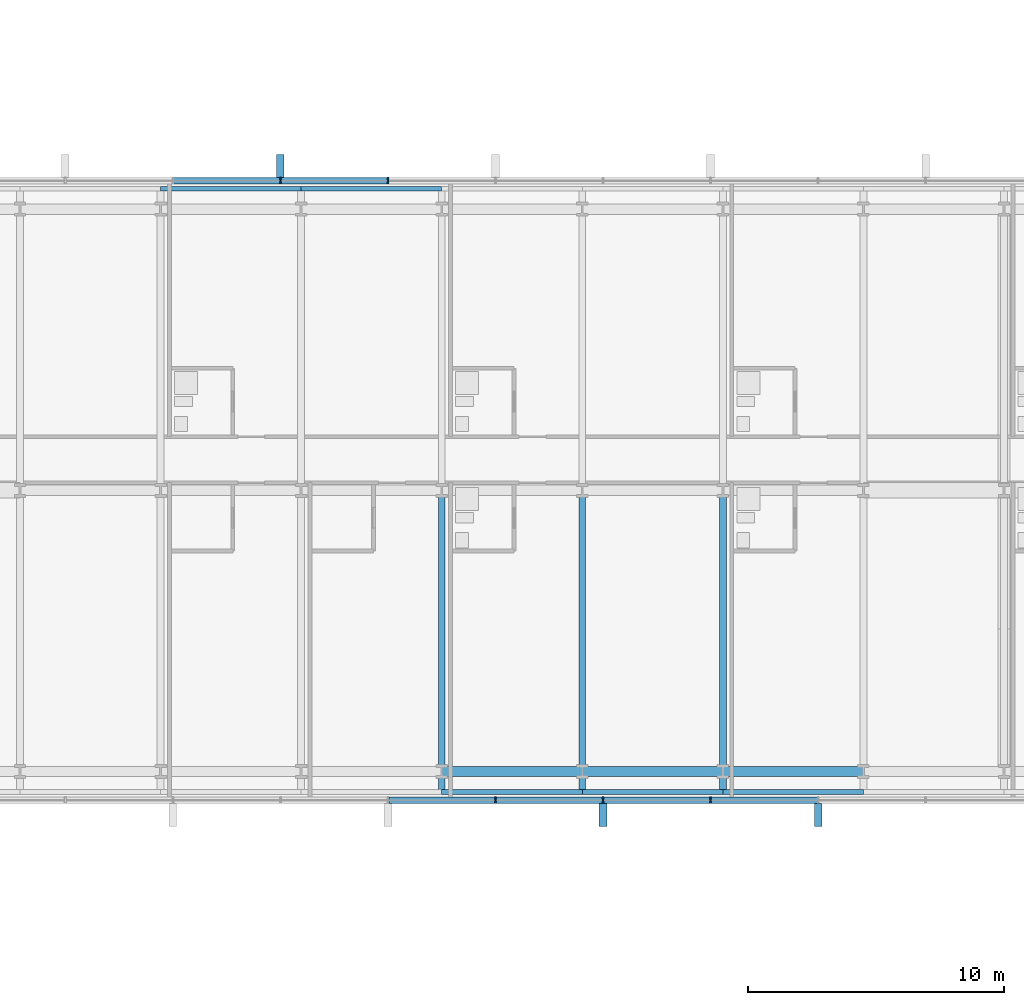
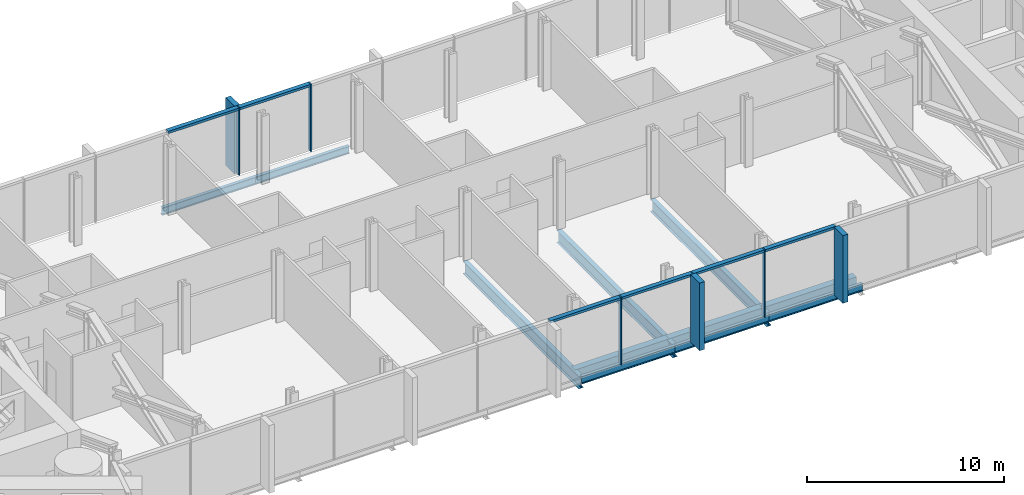
# One storey, part 7 of 23: 14 members, 11 beams, 2 elements without a shape of their own.
"""IFC4 building model written with IfcOpenShell, lengths in metres."""

from ifc_helpers import new_model, si_unit, direction, frame, origin, origin_2d, place, context, subcontext, project, spatial, rectangle, hollow_rectangle, i_section, extrude, material, material_profile, profile_set, type_object, element, aggregate, save


model = new_model("IFC4")

# Units and contexts
model_context = context("Model", 3, precision=1e-05, world=origin(), true_north=direction((0.0, 1.0)))
body_context = subcontext(model_context, "Body", "Model", "MODEL_VIEW")
ifc_project = project(units=[si_unit("LENGTHUNIT", "METRE"), si_unit("AREAUNIT", "SQUARE_METRE"), si_unit("VOLUMEUNIT", "CUBIC_METRE"), si_unit("PLANEANGLEUNIT", "RADIAN"), si_unit("MASSUNIT", "GRAM", prefix="KILO")], contexts=[model_context])

# Site, building, storey
site_placement = place(None, origin())
site = spatial("IfcSite", under=ifc_project, at=site_placement, CompositionType="ELEMENT")
building_placement = place(site_placement, origin())
building = spatial("IfcBuilding", under=site, at=building_placement, Name="Lancet Gate Hotel", CompositionType="ELEMENT")
storey_placement = place(building_placement, frame((0.0, 0.0, 247.699951171875)))
storey = spatial("IfcBuildingStorey", under=building, at=storey_placement, Name="L66", CompositionType="ELEMENT", Elevation=247.699951171875)

# Curtain wall, members
ifc_material_1 = material(Name="Aluminium curtain wall", Category="aluminium")
curtain_wall_type = type_object("IfcCurtainWallType", Name="Sky deck full-height glazing", PredefinedType="USERDEFINED", material=ifc_material_1)
curtain_wall_1_placement = place(storey_placement, origin())
curtain_wall_1 = element("IfcCurtainWall", 1, at=curtain_wall_1_placement, inside=storey, type_object=curtain_wall_type, Name="Bridge block L66 curtain wall S", ObjectType="UNITISED CURTAIN WALL", PredefinedType="USERDEFINED")
ifc_material_2 = material(Name="Aluminium mullion", Category="aluminium")
ifc_material_profile_1 = material_profile(ifc_material_2, rectangle(XDim=0.06494140625, YDim=0.25, at=origin_2d()), Name="MULLION 65x250")
ifc_profile_set_1 = profile_set([ifc_material_profile_1], Name="Aluminium mullion")
member_type_1 = type_object("IfcMemberType", Name="Aluminium mullion 65x250", PredefinedType="MULLION", material=ifc_profile_set_1)
member_1_placement = place(storey_placement, frame((2.103759765625, -12.1201171875, 0.0), z_axis=(0.0, 0.0, 1.0), x_axis=(1.0, 0.0, 0.0)))
member_1 = element("IfcMember", 2, at=member_1_placement, type_object=member_type_1, Name="Bridge block L66 curtain wall S mullion 8", PredefinedType="MULLION", context=body_context, shape_type="SweptSolid", body=[
    extrude(rectangle(XDim=0.06494140625, YDim=0.25, at=origin_2d()), origin(), (0.0, 0.0, 1.0), 4.199951171875),
])
member_2_placement = place(storey_placement, frame((6.3115234375, -12.1201171875, 0.0), z_axis=(0.0, 0.0, 1.0), x_axis=(1.0, 0.0, 0.0)))
member_2 = element("IfcMember", 3, at=member_2_placement, type_object=member_type_1, Name="Bridge block L66 curtain wall S mullion 9", PredefinedType="MULLION", context=body_context, shape_type="SweptSolid", body=[
    extrude(rectangle(XDim=0.06494140625, YDim=0.25, at=origin_2d()), origin(), (0.0, 0.0, 1.0), 4.199951171875),
])
member_3_placement = place(storey_placement, frame((10.519287109375, -12.1201171875, 0.0), z_axis=(0.0, 0.0, 1.0), x_axis=(1.0, 0.0, 0.0)))
member_3 = element("IfcMember", 4, at=member_3_placement, type_object=member_type_1, Name="Bridge block L66 curtain wall S mullion 10", PredefinedType="MULLION", context=body_context, shape_type="SweptSolid", body=[
    extrude(rectangle(XDim=0.06494140625, YDim=0.25, at=origin_2d()), origin(), (0.0, 0.0, 1.0), 4.199951171875),
])

curtain_wall_2_placement = place(storey_placement, origin())
curtain_wall_2 = element("IfcCurtainWall", 5, at=curtain_wall_2_placement, inside=storey, type_object=curtain_wall_type, Name="Bridge block L66 curtain wall N", ObjectType="UNITISED CURTAIN WALL", PredefinedType="USERDEFINED")
member_4_placement = place(storey_placement, frame((-2.103759765625, 12.1201171875, 0.0), z_axis=(0.0, 0.0, 1.0), x_axis=(-1.0, 0.0, 0.0)))
member_4 = element("IfcMember", 6, at=member_4_placement, type_object=member_type_1, Name="Bridge block L66 curtain wall N mullion 8", PredefinedType="MULLION", context=body_context, shape_type="SweptSolid", body=[
    extrude(rectangle(XDim=0.06494140625, YDim=0.25, at=origin_2d()), origin(), (0.0, 0.0, 1.0), 4.199951171875),
])
member_5_placement = place(storey_placement, frame((-6.3115234375, 12.1201171875, 0.0), z_axis=(0.0, 0.0, 1.0), x_axis=(-1.0, 0.0, 0.0)))
member_5 = element("IfcMember", 7, at=member_5_placement, type_object=member_type_1, Name="Bridge block L66 curtain wall N mullion 9", PredefinedType="MULLION", context=body_context, shape_type="SweptSolid", body=[
    extrude(rectangle(XDim=0.06494140625, YDim=0.25, at=origin_2d()), origin(), (0.0, 0.0, 1.0), 4.199951171875),
])

# Member
ifc_material_3 = material(Name="Aluminium transom", Category="aluminium")
ifc_material_profile_2 = material_profile(ifc_material_3, rectangle(XDim=0.25, YDim=0.14990234375, at=origin_2d()), Name="TRANSOM 250x150")
ifc_profile_set_2 = profile_set([ifc_material_profile_2], Name="Aluminium transom")
member_type_2 = type_object("IfcMemberType", Name="Aluminium transom 250x150", PredefinedType="USERDEFINED", material=ifc_profile_set_2)
member_6_placement = place(storey_placement, frame((-2.0712890625, -12.1201171875, 4.125), z_axis=(1.0, 0.0, 0.0), x_axis=(0.0, 1.0, 0.0)))
member_6 = element("IfcMember", 8, at=member_6_placement, type_object=member_type_2, Name="Bridge block L66 curtain wall S transom 7", ObjectType="TRANSOM", PredefinedType="USERDEFINED", context=body_context, shape_type="SweptSolid", body=[
    extrude(rectangle(XDim=0.25, YDim=0.14990234375, at=origin_2d()), origin(), (0.0, 0.0, 1.0), 4.142578125),
])

member_7_placement = place(storey_placement, frame((2.13623046875, -12.1201171875, 4.125), z_axis=(1.0, 0.0, 0.0), x_axis=(0.0, 1.0, 0.0)))
member_7 = element("IfcMember", 9, at=member_7_placement, type_object=member_type_2, Name="Bridge block L66 curtain wall S transom 8", ObjectType="TRANSOM", PredefinedType="USERDEFINED", context=body_context, shape_type="SweptSolid", body=[
    extrude(rectangle(XDim=0.25, YDim=0.14990234375, at=origin_2d()), origin(), (0.0, 0.0, 1.0), 4.142822265625),
])

member_8_placement = place(storey_placement, frame((6.343994140625, -12.1201171875, 4.125), z_axis=(1.0, 0.0, 0.0), x_axis=(0.0, 1.0, 0.0)))
member_8 = element("IfcMember", 10, at=member_8_placement, type_object=member_type_2, Name="Bridge block L66 curtain wall S transom 9", ObjectType="TRANSOM", PredefinedType="USERDEFINED", context=body_context, shape_type="SweptSolid", body=[
    extrude(rectangle(XDim=0.25, YDim=0.14990234375, at=origin_2d()), origin(), (0.0, 0.0, 1.0), 4.142822265625),
])

member_9_placement = place(storey_placement, frame((10.5517578125, -12.1201171875, 4.125), z_axis=(1.0, 0.0, 0.0), x_axis=(0.0, 1.0, 0.0)))
member_9 = element("IfcMember", 11, at=member_9_placement, type_object=member_type_2, Name="Bridge block L66 curtain wall S transom 10", ObjectType="TRANSOM", PredefinedType="USERDEFINED", context=body_context, shape_type="SweptSolid", body=[
    extrude(rectangle(XDim=0.25, YDim=0.14990234375, at=origin_2d()), origin(), (0.0, 0.0, 1.0), 4.142578125),
])

member_10_placement = place(storey_placement, frame((-2.13623046875, 12.1201171875, 4.125), z_axis=(-1.0, 0.0, 0.0), x_axis=(0.0, -1.0, 0.0)))
member_10 = element("IfcMember", 12, at=member_10_placement, type_object=member_type_2, Name="Bridge block L66 curtain wall N transom 8", ObjectType="TRANSOM", PredefinedType="USERDEFINED", context=body_context, shape_type="SweptSolid", body=[
    extrude(rectangle(XDim=0.25, YDim=0.14990234375, at=origin_2d()), origin(), (0.0, 0.0, 1.0), 4.142822265625),
])

member_11_placement = place(storey_placement, frame((-6.343994140625, 12.1201171875, 4.125), z_axis=(-1.0, 0.0, 0.0), x_axis=(0.0, -1.0, 0.0)))
member_11 = element("IfcMember", 13, at=member_11_placement, type_object=member_type_2, Name="Bridge block L66 curtain wall N transom 9", ObjectType="TRANSOM", PredefinedType="USERDEFINED", context=body_context, shape_type="SweptSolid", body=[
    extrude(rectangle(XDim=0.25, YDim=0.14990234375, at=origin_2d()), origin(), (0.0, 0.0, 1.0), 4.142822265625),
])

# Beams
ifc_material_4 = material(Name="Steel S355", Category="steel")
ifc_material_profile_3 = material_profile(ifc_material_4, i_section(OverallWidth=0.19140625, OverallDepth=0.4599609375, WebThickness=0.010009765625, FlangeThickness=0.01611328125, FilletRadius=0.01025390625, at=origin_2d()), Name="UKB 457x191x82")
ifc_profile_set_3 = profile_set([ifc_material_profile_3], Name="Steel S355")
beam_type_1 = type_object("IfcBeamType", Name="Block edge beam UKB 457x191x82", PredefinedType="SPANDREL", material=ifc_profile_set_3)
for number, where, z_axis, x_axis, name in (
    (14, (-11.0, 11.800048828125, -0.429931640625), (1.0, 0.0, 0.0), (0.0, 1.0, 0.0), "Block edge beam N 3-4 L66"),
    (15, (-5.5, 11.800048828125, -0.429931640625), (1.0, 0.0, 0.0), (0.0, 1.0, 0.0), "Block edge beam N 4-5 L66"),
    (16, (0.0, -11.800048828125, -0.429931640625), (1.0, 0.0, 0.0), (0.0, 1.0, 0.0), "Block edge beam S 5-6 L66"),
    (17, (5.5, -11.800048828125, -0.429931640625), (1.0, 0.0, 0.0), (0.0, 1.0, 0.0), "Block edge beam S 6-7 L66"),
    (18, (11.0, -11.800048828125, -0.429931640625), (1.0, 0.0, 0.0), (0.0, 1.0, 0.0), "Block edge beam S 7-8 L66"),
):
    element("IfcBeam", number, at=place(storey_placement, frame(where, z_axis=z_axis, x_axis=x_axis)), inside=storey, type_object=beam_type_1, Name=name, PredefinedType="SPANDREL", context=body_context, shape_type="SweptSolid", body=[
        extrude(i_section(OverallWidth=0.19140625, OverallDepth=0.4599609375, WebThickness=0.010009765625, FlangeThickness=0.01611328125, FilletRadius=0.01025390625, at=origin_2d()), origin(), (0.0, 0.0, 1.0), 5.5),
    ])
ifc_material_5 = material(Name="Steel S355", Category="steel")
ifc_material_profile_4 = material_profile(ifc_material_5, hollow_rectangle(XDim=0.39990234375, YDim=0.89990234375, WallThickness=0.0400390625, at=origin_2d()), Name="BOX 900x400x40")
ifc_profile_set_4 = profile_set([ifc_material_profile_4], Name="Steel S355")
beam_type_2 = type_object("IfcBeamType", Name="Block primary beam BOX 900x400x40", PredefinedType="BEAM", material=ifc_profile_set_4)
for number, where, z_axis, x_axis, name in (
    (19, (0.0, -11.0, -0.64990234375), (1.0, 0.0, 0.0), (0.0, 1.0, 0.0), "Block primary beam S 6 L66"),
    (20, (5.5, -11.0, -0.64990234375), (1.0, 0.0, 0.0), (0.0, 1.0, 0.0), "Block primary beam S 7 L66"),
    (21, (11.0, -11.0, -0.64990234375), (1.0, 0.0, 0.0), (0.0, 1.0, 0.0), "Block primary beam S 8 L66"),
):
    element("IfcBeam", number, at=place(storey_placement, frame(where, z_axis=z_axis, x_axis=x_axis)), inside=storey, type_object=beam_type_2, Name=name, PredefinedType="BEAM", context=body_context, shape_type="SweptSolid", body=[
        extrude(hollow_rectangle(XDim=0.39990234375, YDim=0.89990234375, WallThickness=0.0400390625, at=origin_2d()), origin(), (0.0, 0.0, 1.0), 5.5),
    ])
ifc_material_6 = material(Name="Steel S355", Category="steel")
ifc_material_profile_5 = material_profile(ifc_material_6, i_section(OverallWidth=0.26806640625, OverallDepth=0.769775390625, WebThickness=0.015625, FlangeThickness=0.025390625, FilletRadius=0.0166015625, at=origin_2d()), Name="UKB 762x267x197")
ifc_profile_set_5 = profile_set([ifc_material_profile_5], Name="Steel S355")
beam_type_3 = type_object("IfcBeamType", Name="Block secondary beam UKB 762x267x197", PredefinedType="JOIST", material=ifc_profile_set_5)
for number, where, z_axis, x_axis, name in (
    (22, (0.0, -11.800048828125, -0.5849609375), (0.0, 1.0, 0.0), (-1.0, 0.0, 0.0), "Block beam x5 S L66"),
    (23, (5.5, -11.800048828125, -0.5849609375), (0.0, 1.0, 0.0), (-1.0, 0.0, 0.0), "Block beam x6 S L66"),
    (24, (11.0, -11.800048828125, -0.5849609375), (0.0, 1.0, 0.0), (-1.0, 0.0, 0.0), "Block beam x7 S L66"),
):
    element("IfcBeam", number, at=place(storey_placement, frame(where, z_axis=z_axis, x_axis=x_axis)), inside=storey, type_object=beam_type_3, Name=name, PredefinedType="JOIST", context=body_context, shape_type="SweptSolid", body=[
        extrude(i_section(OverallWidth=0.26806640625, OverallDepth=0.769775390625, WebThickness=0.015625, FlangeThickness=0.025390625, FilletRadius=0.0166015625, at=origin_2d()), origin(), (0.0, 0.0, 1.0), 11.800048828125),
    ])

# Member
ifc_material_7 = material(Name="Precast concrete C50/60", Category="concrete")
ifc_material_profile_6 = material_profile(ifc_material_7, rectangle(XDim=0.300048828125, YDim=0.89990234375, at=origin_2d()), Name="FIN 300x900")
ifc_profile_set_6 = profile_set([ifc_material_profile_6], Name="Precast concrete C50/60")
member_type_3 = type_object("IfcMemberType", Name="Exposed concrete fin 300x900", PredefinedType="USERDEFINED", material=ifc_profile_set_6)
member_12_placement = place(storey_placement, frame((6.3115234375, -12.695068359375, 0.0), z_axis=(0.0, 0.0, 1.0), x_axis=(1.0, 0.0, 0.0)))
member_12 = element("IfcMember", 25, at=member_12_placement, type_object=member_type_3, Name="Bridge block L66 curtain wall S fin 9", ObjectType="FIN", PredefinedType="USERDEFINED", context=body_context, shape_type="SweptSolid", body=[
    extrude(rectangle(XDim=0.300048828125, YDim=0.89990234375, at=origin_2d()), origin(), (0.0, 0.0, 1.0), 4.199951171875),
])

member_13_placement = place(storey_placement, frame((14.726806640625, -12.695068359375, 0.0), z_axis=(0.0, 0.0, 1.0), x_axis=(1.0, 0.0, 0.0)))
member_13 = element("IfcMember", 26, at=member_13_placement, type_object=member_type_3, Name="Bridge block L66 curtain wall S fin 11", ObjectType="FIN", PredefinedType="USERDEFINED", context=body_context, shape_type="SweptSolid", body=[
    extrude(rectangle(XDim=0.300048828125, YDim=0.89990234375, at=origin_2d()), origin(), (0.0, 0.0, 1.0), 4.199951171875),
])

aggregate(curtain_wall_1, [member_1, member_2, member_12, member_3, member_13, member_6, member_7, member_8, member_9])

member_14_placement = place(storey_placement, frame((-6.3115234375, 12.695068359375, 0.0), z_axis=(0.0, 0.0, 1.0), x_axis=(-1.0, 0.0, 0.0)))
member_14 = element("IfcMember", 27, at=member_14_placement, type_object=member_type_3, Name="Bridge block L66 curtain wall N fin 9", ObjectType="FIN", PredefinedType="USERDEFINED", context=body_context, shape_type="SweptSolid", body=[
    extrude(rectangle(XDim=0.300048828125, YDim=0.89990234375, at=origin_2d()), origin(), (0.0, 0.0, 1.0), 4.199951171875),
])

aggregate(curtain_wall_2, [member_4, member_5, member_14, member_10, member_11])

save(model, "model.ifc")
